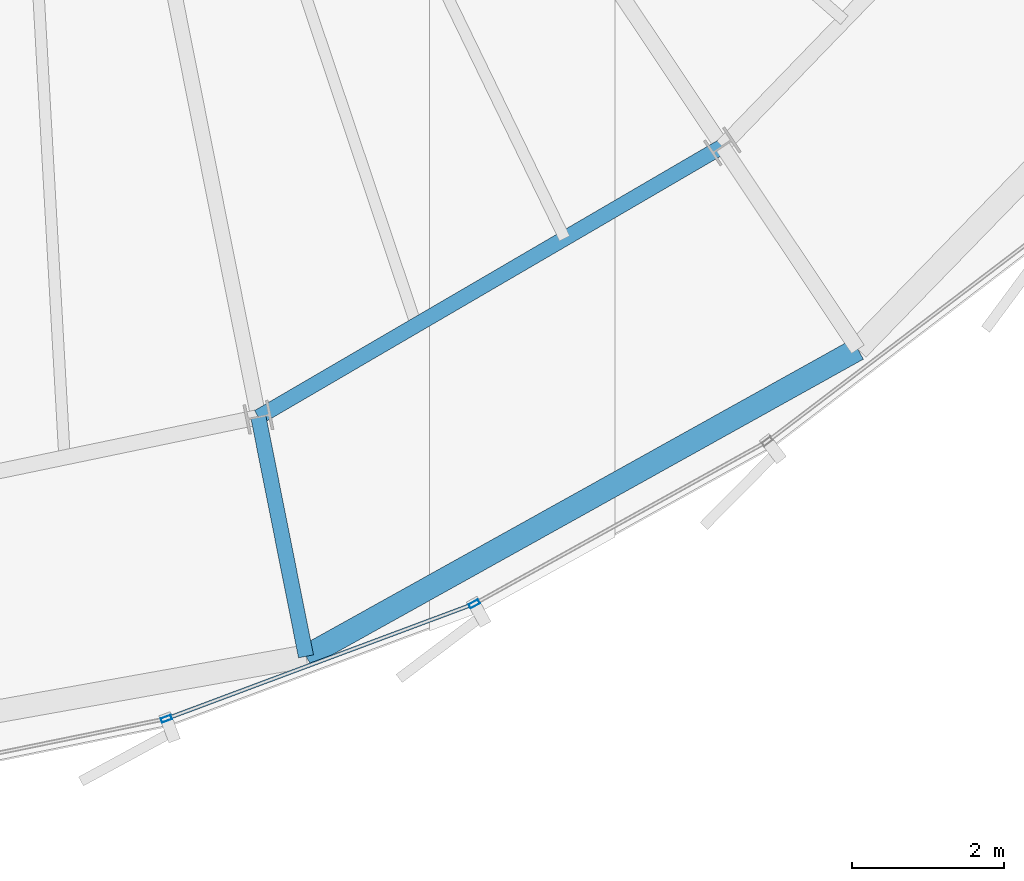
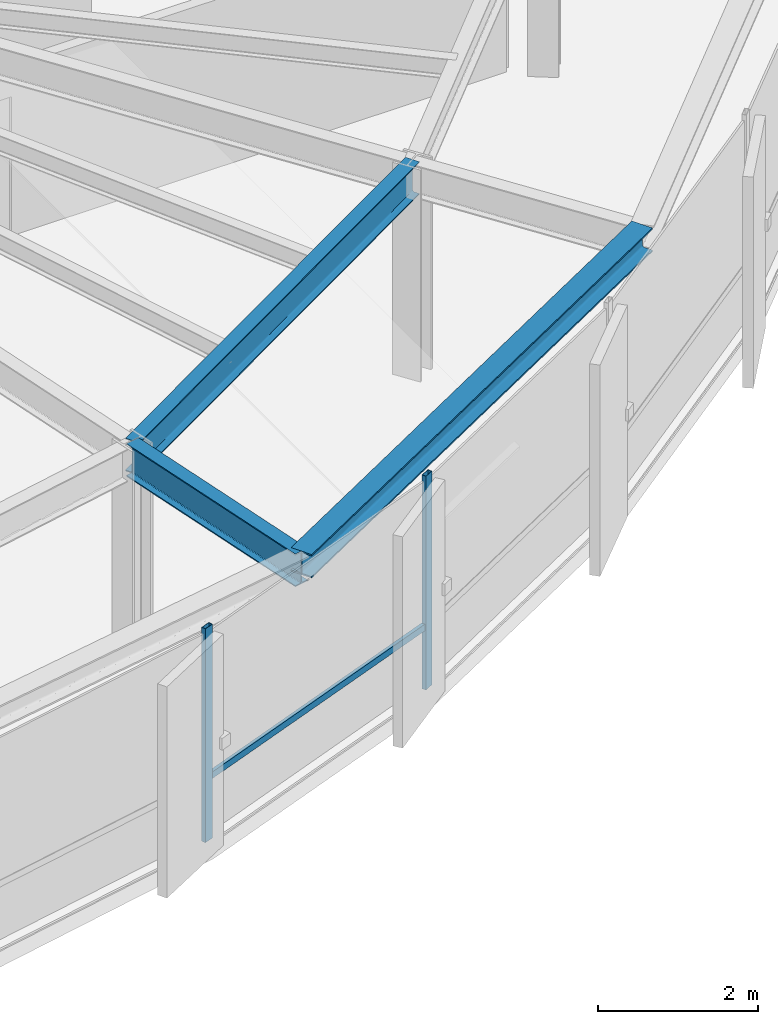
# One storey, part 8 of 37: 3 beams, 3 members, 1 element without a shape of its own.
"""IFC4 building model written with IfcOpenShell, lengths in metres."""

from ifc_helpers import new_model, si_unit, direction, frame, origin, origin_2d, place, context, subcontext, project, spatial, hollow_rectangle, i_section, extrude, source, transform, mapped, material, layer, layer_set, material_profile, profile_set, type_object, element, aggregate, save


model = new_model("IFC4")

# Units and contexts
model_context = context("Model", 3, precision=1e-05, world=origin(), true_north=direction((0.0, 1.0)))
body_context = subcontext(model_context, "Body", "Model", "MODEL_VIEW")
ifc_project = project(units=[si_unit("LENGTHUNIT", "METRE"), si_unit("AREAUNIT", "SQUARE_METRE"), si_unit("VOLUMEUNIT", "CUBIC_METRE"), si_unit("PLANEANGLEUNIT", "RADIAN"), si_unit("MASSUNIT", "GRAM", prefix="KILO"), si_unit("THERMODYNAMICTEMPERATUREUNIT", "KELVIN")], contexts=[model_context])

# Site, building, storey
site_placement = place(None, origin())
site = spatial("IfcSite", under=ifc_project, at=site_placement, CompositionType="ELEMENT")
building_placement = place(site_placement, origin())
building = spatial("IfcBuilding", under=site, at=building_placement, Name="Kethvar Cultural Tower", CompositionType="ELEMENT")
storey_placement = place(building_placement, frame((0.0, 0.0, 200.89990234375)))
storey = spatial("IfcBuildingStorey", under=building, at=storey_placement, Name="L52", CompositionType="ELEMENT", Elevation=200.89990234375)

# Beams
ifc_material_1 = material(Name="Steel S355J2", Category="steel")
ifc_material_profile_1 = material_profile(ifc_material_1, i_section(OverallWidth=0.199951171875, OverallDepth=0.5, WebThickness=0.01025390625, FlangeThickness=0.01611328125, FilletRadius=0.02099609375, at=origin_2d()), Name="Steel S355J2 — IPE500")
ifc_profile_set_1 = profile_set([ifc_material_profile_1], Name="Steel S355J2 — IPE500")
beam_type_1 = type_object("IfcBeamType", Name="BM-IPE500", PredefinedType="BEAM", material=ifc_profile_set_1)
shared_shape_1 = source(origin(), body_context, "Body", "SweptSolid", [
    extrude(i_section(OverallWidth=0.199951171875, OverallDepth=0.5, WebThickness=0.01025390625, FlangeThickness=0.01611328125, FilletRadius=0.02099609375, at=origin_2d()), origin(), (0.0, 0.0, 1.0), 3.199951171875),
])
beam_1_placement = place(storey_placement, frame((50.38671875, 9.7685546875, 3.008056640625), z_axis=(0.195088965533, -0.980785550224, 0.0), x_axis=(0.980785550224, 0.195088965533, 0.0)))
element("IfcBeam", 1, at=beam_1_placement, inside=storey, type_object=beam_type_1, Name="L52 Perimeter Cantilever Beam RC-13", PredefinedType="BEAM", context=body_context, shape_type="MappedRepresentation", body=[
    mapped(shared_shape_1, transform((0.0, 0.0, 0.0), scale=1.0)),
])
shared_shape_2 = source(origin(), body_context, "Body", "SweptSolid", [
    extrude(i_section(OverallWidth=0.199951171875, OverallDepth=0.5, WebThickness=0.01025390625, FlangeThickness=0.01611328125, FilletRadius=0.02099609375, at=origin_2d()), origin(), (0.0, 0.0, 1.0), 7.048583984375),
])
beam_2_placement = place(storey_placement, frame((50.38671875, 9.7685546875, 3.008056640625), z_axis=(0.863718593305, 0.503974395757, 0.0), x_axis=(-0.503974395757, 0.863718593305, 0.0)))
element("IfcBeam", 2, at=beam_2_placement, inside=storey, type_object=beam_type_1, Name="L52 Column Ring Tie Beam CR-13", PredefinedType="BEAM", context=body_context, shape_type="MappedRepresentation", body=[
    mapped(shared_shape_2, transform((0.0, 0.0, 0.0), scale=1.0)),
])
ifc_material_profile_2 = material_profile(ifc_material_1, i_section(OverallWidth=0.300048828125, OverallDepth=0.360107421875, WebThickness=0.012451171875, FlangeThickness=0.0224609375, FilletRadius=0.027099609375, at=origin_2d()), Name="Steel S355J2 — HEB360")
ifc_profile_set_2 = profile_set([ifc_material_profile_2], Name="Steel S355J2 — HEB360")
beam_type_2 = type_object("IfcBeamType", Name="BM-SP360", PredefinedType="SPANDREL", material=ifc_profile_set_2)
shared_shape_3 = source(origin(), body_context, "Body", "SweptSolid", [
    extrude(i_section(OverallWidth=0.300048828125, OverallDepth=0.360107421875, WebThickness=0.012451171875, FlangeThickness=0.0224609375, FilletRadius=0.027099609375, at=origin_2d()), origin(), (0.0, 0.0, 1.0), 8.287353515625),
])
beam_3_placement = place(storey_placement, frame((51.010986328125, 6.630126953125, 3.078125), z_axis=(0.873798521244, 0.486288128862, 0.0), x_axis=(-0.486288128862, 0.873798521244, 0.0)))
element("IfcBeam", 3, at=beam_3_placement, inside=storey, type_object=beam_type_2, Name="L52 Perimeter Spandrel Beam SP-13", PredefinedType="SPANDREL", context=body_context, shape_type="MappedRepresentation", body=[
    mapped(shared_shape_3, transform((0.0, 0.0, 0.0), scale=1.0)),
])

# Curtain wall, members
ifc_material_2 = material(Name="Aluminium 6063-T6", Category="aluminium")
ifc_layer = layer(ifc_material_2, 0.179931640625, Name="Aluminium 6063-T6", Category="aluminium")
ifc_layer_set = layer_set([ifc_layer], Name="Aluminium 6063-T6 (180 mm)")
curtain_wall_type = type_object("IfcCurtainWallType", Name="CW-SYS-04-Z34", PredefinedType="NOTDEFINED", material=ifc_layer_set)
curtain_wall_placement = place(storey_placement, origin())
curtain_wall = element("IfcCurtainWall", 4, at=curtain_wall_placement, inside=storey, type_object=curtain_wall_type, Name="L52 Curtain Wall Run 05", PredefinedType="NOTDEFINED")
ifc_material_profile_3 = material_profile(ifc_material_2, hollow_rectangle(XDim=0.06005859375, YDim=0.139892578125, WallThickness=0.0048828125, at=origin_2d()), Name="Aluminium 6063-T6 — RHS140x60x5")
ifc_profile_set_3 = profile_set([ifc_material_profile_3], Name="Aluminium 6063-T6 — RHS140x60x5")
member_type_1 = type_object("IfcMemberType", Name="CW-SYS-04-Z34-MUL", PredefinedType="MULLION", material=ifc_profile_set_3)
shared_shape_4 = source(origin(), body_context, "Body", "SweptSolid", [
    extrude(hollow_rectangle(XDim=0.06005859375, YDim=0.139892578125, WallThickness=0.0048828125, at=origin_2d()), origin(), (0.0, 0.0, 1.0), 3.260009765625),
])
member_1_placement = place(storey_placement, frame((49.1787109375, 5.810546875, 0.0), z_axis=(0.0, 0.0, 1.0), x_axis=(-0.349880399656, 0.936794377618, 0.0)))
member_1 = element("IfcMember", 5, at=member_1_placement, type_object=member_type_1, Name="CW-L52-R05 Mullion 3", PredefinedType="MULLION", context=body_context, shape_type="MappedRepresentation", body=[
    mapped(shared_shape_4, transform((0.0, 0.0, 0.0), scale=1.0)),
])
member_2_placement = place(storey_placement, frame((53.218994140625, 7.318115234375, 0.0), z_axis=(0.0, 0.0, 1.0), x_axis=(-0.48497752624, 0.874526614256, 0.0)))
member_2 = element("IfcMember", 6, at=member_2_placement, type_object=member_type_1, Name="CW-L52-R05 Mullion 4", PredefinedType="MULLION", context=body_context, shape_type="MappedRepresentation", body=[
    mapped(shared_shape_4, transform((0.0, 0.0, 0.0), scale=1.0)),
])
ifc_material_profile_4 = material_profile(ifc_material_2, hollow_rectangle(XDim=0.050048828125, YDim=0.10009765625, WallThickness=0.00390625, at=origin_2d()), Name="Aluminium 6063-T6 — RHS100x50x4")
ifc_profile_set_4 = profile_set([ifc_material_profile_4], Name="Aluminium 6063-T6 — RHS100x50x4")
member_type_2 = type_object("IfcMemberType", Name="CW-SYS-04-Z34-TRN", PredefinedType="USERDEFINED", material=ifc_profile_set_4)
shared_shape_5 = source(origin(), body_context, "Body", "SweptSolid", [
    extrude(hollow_rectangle(XDim=0.050048828125, YDim=0.10009765625, WallThickness=0.00390625, at=origin_2d()), origin(), (0.0, 0.0, 1.0), 4.2421875),
])
member_3_placement = place(storey_placement, frame((49.218994140625, 5.82568359375, 0.9501953125), z_axis=(0.936806058341, 0.349849123274, 0.0), x_axis=(-0.349849123274, 0.936806058341, 0.0)))
member_3 = element("IfcMember", 7, at=member_3_placement, type_object=member_type_2, Name="CW-L52-R05 Transom 3", ObjectType="TRANSOM", PredefinedType="USERDEFINED", context=body_context, shape_type="MappedRepresentation", body=[
    mapped(shared_shape_5, transform((0.0, 0.0, 0.0), scale=1.0)),
])
aggregate(curtain_wall, [member_1, member_2, member_3])

save(model, "model.ifc")
